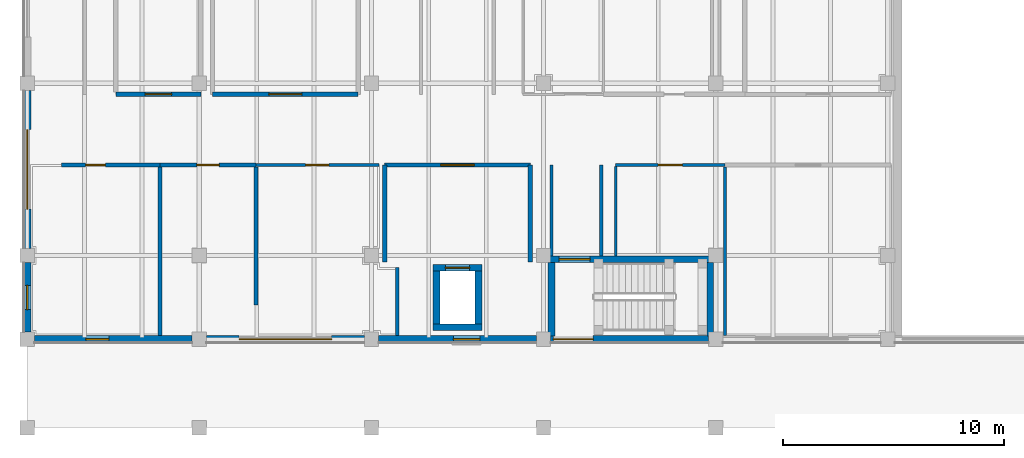
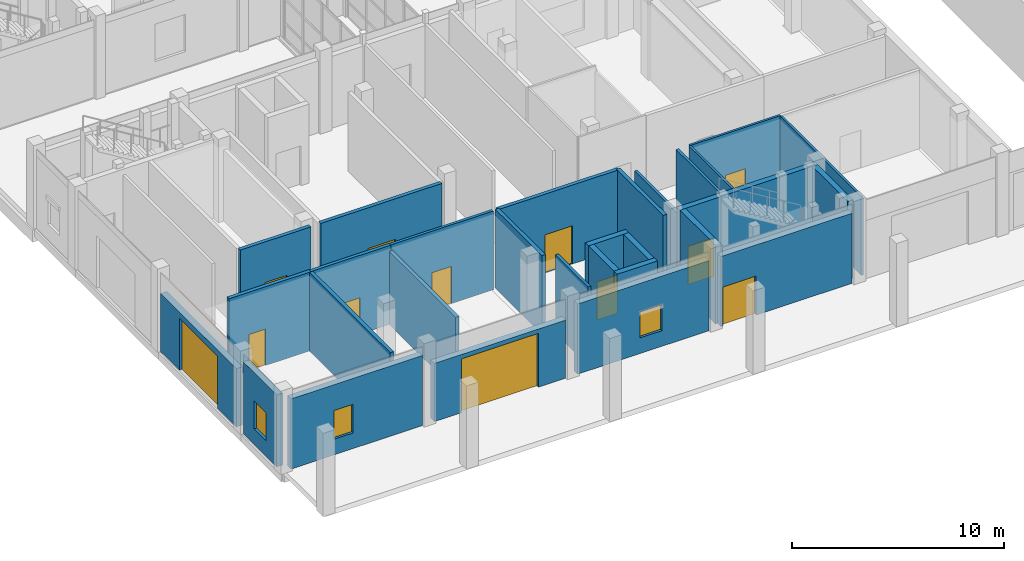
# One storey, part 91 of 131: 29 walls, 12 doors, 3 windows, 15 openings.
"""IFC4 building model written with IfcOpenShell, lengths in metres."""

from ifc_helpers import new_model, si_unit, direction, frame, frame_2d, origin, place, context, subcontext, project, spatial, rectangle, extrude, material, layer, layer_set, type_object, element, fill, save


model = new_model("IFC4")

# Units and contexts
model_context = context("Model", 3, precision=1e-05, world=origin(), true_north=direction((0.0, 1.0)))
body_context = subcontext(model_context, "Body", "Model", "MODEL_VIEW")
ifc_project = project(units=[si_unit("LENGTHUNIT", "METRE"), si_unit("AREAUNIT", "SQUARE_METRE"), si_unit("VOLUMEUNIT", "CUBIC_METRE"), si_unit("PLANEANGLEUNIT", "RADIAN"), si_unit("MASSUNIT", "GRAM", prefix="KILO")], contexts=[model_context])

# Site, building, storey
site_placement = place(None, origin())
site = spatial("IfcSite", under=ifc_project, at=site_placement, CompositionType="ELEMENT")
building_placement = place(site_placement, origin())
building = spatial("IfcBuilding", under=site, at=building_placement, Name="Celorna Specialist Clinic", CompositionType="ELEMENT")
storey_placement = place(building_placement, origin())
storey = spatial("IfcBuildingStorey", under=building, at=storey_placement, Name="L00", CompositionType="ELEMENT", Elevation=0.0)

# Wall, opening, window
ifc_material_1 = material(Name="Pero Pinheiro Lioz limestone insulated masonry", Category="masonry")
ifc_layer_1 = layer(ifc_material_1, 0.340087890625, Name="Pero Pinheiro Lioz limestone insulated masonry")
ifc_layer_set_1 = layer_set([ifc_layer_1], Name="Pero Pinheiro Lioz limestone insulated masonry")
wall_type_1 = type_object("IfcWallType", Name="WT-07", PredefinedType="STANDARD", material=ifc_layer_set_1)
wall_1_placement = place(storey_placement, frame((7.47509765625, 4.0, 0.0), z_axis=(0.0, 0.0, 1.0), x_axis=(-1.0, 0.0, 0.0)))
wall_1 = element("IfcWall", 1, at=wall_1_placement, inside=storey, type_object=wall_type_1, Name="External facade wall WT-07 #298", PredefinedType="STANDARD", context=body_context, shape_type="SweptSolid", body=[
    extrude(rectangle(XDim=7.150146484375, YDim=0.340087890625, at=frame_2d((3.5751953125, 0.0))), origin(), (0.0, 0.0, 1.0), 4.0400390625),
])
opening_1_placement = place(wall_1_placement, frame((3.767578125, 0.0, 0.89990234375)))
opening_1 = element("IfcOpeningElement", 2, at=opening_1_placement, cuts=wall_1, Name="Opening WN-21", PredefinedType="OPENING", context=body_context, shape_type="SweptSolid", body=[
    extrude(rectangle(XDim=1.050048828125, YDim=1.64990234375, at=frame_2d((0.52490234375, 0.824951171875))), frame((0.0, 0.179931640625, 0.0), z_axis=(0.0, -1.0, 0.0), x_axis=(1.0, 0.0, 0.0)), (0.0, 0.0, 1.0), 0.360107421875),
])
ifc_material_2 = material(Name="Thermally broken aluminium triple-glazed window", Category="aluminium")
window_type_1 = type_object("IfcWindowType", Name="WN-21", PartitioningType="SINGLE_PANEL", PredefinedType="WINDOW", material=ifc_material_2)
window_1_placement = place(opening_1_placement, origin())
window_1 = element("IfcWindow", 3, at=window_1_placement, inside=storey, type_object=window_type_1, Name="Facade window WN-21 #179", OverallHeight=1.64990234375, OverallWidth=1.050048828125, PartitioningType="SINGLE_PANEL", PredefinedType="WINDOW", context=body_context, shape_type="SweptSolid", body=[
    extrude(rectangle(XDim=1.050048828125, YDim=1.64990234375, at=frame_2d((0.52490234375, 0.824951171875))), frame((0.0, 0.030029296875, 0.0), z_axis=(0.0, -1.0, 0.0), x_axis=(1.0, 0.0, 0.0)), (0.0, 0.0, 1.0), 0.06005859375),
])
fill(opening_1, window_1)

# Wall, opening, door
wall_2_placement = place(storey_placement, frame((15.27490234375, 4.0, 0.0), z_axis=(0.0, 0.0, 1.0), x_axis=(-1.0, 0.0, 0.0)))
wall_2 = element("IfcWall", 4, at=wall_2_placement, inside=storey, type_object=wall_type_1, Name="External facade wall WT-07 #299", PredefinedType="STANDARD", context=body_context, shape_type="SweptSolid", body=[
    extrude(rectangle(XDim=7.14990234375, YDim=0.340087890625, at=frame_2d((3.574951171875, 0.0))), origin(), (0.0, 0.0, 1.0), 3.35009765625),
])
opening_2_placement = place(wall_2_placement, frame((1.47509765625, 0.0, 0.0)))
opening_2 = element("IfcOpeningElement", 5, at=opening_2_placement, cuts=wall_2, Name="Opening GT-02", PredefinedType="OPENING", context=body_context, shape_type="SweptSolid", body=[
    extrude(rectangle(XDim=4.199951171875, YDim=3.10009765625, at=frame_2d((2.10009765625, 1.550048828125))), frame((0.0, 0.179931640625, 0.0), z_axis=(0.0, -1.0, 0.0), x_axis=(1.0, 0.0, 0.0)), (0.0, 0.0, 1.0), 0.360107421875),
])
ifc_material_3 = material(Name="Insulated steel ambulance bay shutter", Category="steel")
door_type_1 = type_object("IfcDoorType", Name="GT-02", OperationType="ROLLINGUP", PredefinedType="GATE", material=ifc_material_3)
door_1_placement = place(opening_2_placement, frame((4.199951171875, 0.0, 0.0), z_axis=(0.0, 0.0, 1.0), x_axis=(-1.0, 0.0, 0.0)))
door_1 = element("IfcDoor", 6, at=door_1_placement, inside=storey, type_object=door_type_1, Name="Ambulance bay shutter VS-02", OperationType="ROLLINGUP", OverallHeight=3.10009765625, OverallWidth=4.199951171875, PredefinedType="GATE", context=body_context, shape_type="SweptSolid", body=[
    extrude(rectangle(XDim=4.199951171875, YDim=3.10009765625, at=frame_2d((2.10009765625, 1.550048828125))), frame((0.0, 0.02490234375, 0.0), z_axis=(0.0, -1.0, 0.0), x_axis=(1.0, 0.0, 0.0)), (0.0, 0.0, 1.0), 0.050048828125),
])
fill(opening_2, door_1)

# Wall, opening, window
wall_3_placement = place(storey_placement, frame((23.074951171875, 4.0, 0.0), z_axis=(0.0, 0.0, 1.0), x_axis=(-1.0, 0.0, 0.0)))
wall_3 = element("IfcWall", 7, at=wall_3_placement, inside=storey, type_object=wall_type_1, Name="External facade wall WT-07 #300", PredefinedType="STANDARD", context=body_context, shape_type="SweptSolid", body=[
    extrude(rectangle(XDim=7.14990234375, YDim=0.340087890625, at=frame_2d((3.574951171875, 0.0))), origin(), (0.0, 0.0, 1.0), 4.0400390625),
])
opening_3_placement = place(wall_3_placement, frame((2.5625, 0.0, 0.89990234375)))
opening_3 = element("IfcOpeningElement", 8, at=opening_3_placement, cuts=wall_3, Name="Opening WN-04", PredefinedType="OPENING", context=body_context, shape_type="SweptSolid", body=[
    extrude(rectangle(XDim=1.199951171875, YDim=1.5, at=frame_2d((0.60009765625, 0.75))), frame((0.0, 0.179931640625, 0.0), z_axis=(0.0, -1.0, 0.0), x_axis=(1.0, 0.0, 0.0)), (0.0, 0.0, 1.0), 0.360107421875),
])
window_type_2 = type_object("IfcWindowType", Name="WN-04", PartitioningType="SINGLE_PANEL", PredefinedType="WINDOW", material=ifc_material_2)
window_2_placement = place(opening_3_placement, origin())
window_2 = element("IfcWindow", 9, at=window_2_placement, inside=storey, type_object=window_type_2, Name="Facade window WN-04 #180", OverallHeight=1.5, OverallWidth=1.199951171875, PartitioningType="SINGLE_PANEL", PredefinedType="WINDOW", context=body_context, shape_type="SweptSolid", body=[
    extrude(rectangle(XDim=1.199951171875, YDim=1.5, at=frame_2d((0.60009765625, 0.75))), frame((0.0, 0.030029296875, 0.0), z_axis=(0.0, -1.0, 0.0), x_axis=(1.0, 0.0, 0.0)), (0.0, 0.0, 1.0), 0.06005859375),
])
fill(opening_3, window_2)

# Wall, opening, door
wall_4_placement = place(storey_placement, frame((30.875, 4.0, 0.0), z_axis=(0.0, 0.0, 1.0), x_axis=(-1.0, 0.0, 0.0)))
wall_4 = element("IfcWall", 10, at=wall_4_placement, inside=storey, type_object=wall_type_1, Name="External facade wall WT-07 #301", PredefinedType="STANDARD", context=body_context, shape_type="SweptSolid", body=[
    extrude(rectangle(XDim=7.14990234375, YDim=0.340087890625, at=frame_2d((3.574951171875, 0.0))), origin(), (0.0, 0.0, 1.0), 4.0400390625),
])
opening_4_placement = place(wall_4_placement, frame((5.22998046875, 0.0, 0.0)))
opening_4 = element("IfcOpeningElement", 11, at=opening_4_placement, cuts=wall_4, Name="Opening DR-14", PredefinedType="OPENING", context=body_context, shape_type="SweptSolid", body=[
    extrude(rectangle(XDim=1.800048828125, YDim=2.25, at=frame_2d((0.89990234375, 1.125))), frame((0.0, 0.179931640625, 0.0), z_axis=(0.0, -1.0, 0.0), x_axis=(1.0, 0.0, 0.0)), (0.0, 0.0, 1.0), 0.360107421875),
])
ifc_material_4 = material(Name="Glazed aluminium final exit double door", Category="aluminium")
door_type_2 = type_object("IfcDoorType", Name="DR-14", OperationType="DOUBLE_DOOR_SINGLE_SWING", PredefinedType="DOOR", material=ifc_material_4)
door_2_placement = place(opening_4_placement, origin())
door_2 = element("IfcDoor", 12, at=door_2_placement, inside=storey, type_object=door_type_2, Name="Pedestrian final exit E05", OperationType="DOUBLE_DOOR_SINGLE_SWING", OverallHeight=2.25, OverallWidth=1.800048828125, PredefinedType="DOOR", context=body_context, shape_type="SweptSolid", body=[
    extrude(rectangle(XDim=1.800048828125, YDim=2.25, at=frame_2d((0.89990234375, 1.125))), frame((0.0, 0.02490234375, 0.0), z_axis=(0.0, -1.0, 0.0), x_axis=(1.0, 0.0, 0.0)), (0.0, 0.0, 1.0), 0.050048828125),
])
fill(opening_4, door_2)

# Wall, opening, window
wall_5_placement = place(storey_placement, frame((0.0, 4.324951171875, 0.0), z_axis=(0.0, 0.0, 1.0), x_axis=(0.0, 1.0, 0.0)))
wall_5 = element("IfcWall", 13, at=wall_5_placement, inside=storey, type_object=wall_type_1, Name="External facade wall WT-07 #312", PredefinedType="STANDARD", context=body_context, shape_type="SweptSolid", body=[
    extrude(rectangle(XDim=3.150146484375, YDim=0.340087890625, at=frame_2d((1.5751953125, 0.0))), origin(), (0.0, 0.0, 1.0), 4.139892578125),
])
opening_5_placement = place(wall_5_placement, frame((1.02490234375, 0.0, 0.89990234375)))
opening_5 = element("IfcOpeningElement", 14, at=opening_5_placement, cuts=wall_5, Name="Opening WN-03", PredefinedType="OPENING", context=body_context, shape_type="SweptSolid", body=[
    extrude(rectangle(XDim=1.10009765625, YDim=1.60009765625, at=frame_2d((0.550048828125, 0.800048828125))), frame((0.0, 0.179931640625, 0.0), z_axis=(0.0, -1.0, 0.0), x_axis=(1.0, 0.0, 0.0)), (0.0, 0.0, 1.0), 0.360107421875),
])
window_type_3 = type_object("IfcWindowType", Name="WN-03", PartitioningType="SINGLE_PANEL", PredefinedType="WINDOW", material=ifc_material_2)
window_3_placement = place(opening_5_placement, origin())
window_3 = element("IfcWindow", 15, at=window_3_placement, inside=storey, type_object=window_type_3, Name="Facade window WN-03 #185", OverallHeight=1.60009765625, OverallWidth=1.10009765625, PartitioningType="SINGLE_PANEL", PredefinedType="WINDOW", context=body_context, shape_type="SweptSolid", body=[
    extrude(rectangle(XDim=1.10009765625, YDim=1.60009765625, at=frame_2d((0.550048828125, 0.800048828125))), frame((0.0, 0.030029296875, 0.0), z_axis=(0.0, -1.0, 0.0), x_axis=(1.0, 0.0, 0.0)), (0.0, 0.0, 1.0), 0.06005859375),
])
fill(opening_5, window_3)

# Wall, opening, door
wall_6_placement = place(storey_placement, frame((0.0, 8.125, 0.0), z_axis=(0.0, 0.0, 1.0), x_axis=(0.0, 1.0, 0.0)))
wall_6 = element("IfcWall", 16, at=wall_6_placement, inside=storey, type_object=wall_type_1, Name="External facade wall WT-07 #313", PredefinedType="STANDARD", context=body_context, shape_type="SweptSolid", body=[
    extrude(rectangle(XDim=7.14990234375, YDim=0.340087890625, at=frame_2d((3.574951171875, 0.0))), origin(), (0.0, 0.0, 1.0), 3.35009765625),
])
opening_6_placement = place(wall_6_placement, frame((1.77490234375, 0.0, 0.0)))
opening_6 = element("IfcOpeningElement", 17, at=opening_6_placement, cuts=wall_6, Name="Opening GT-03", PredefinedType="OPENING", context=body_context, shape_type="SweptSolid", body=[
    extrude(rectangle(XDim=3.60009765625, YDim=3.0, at=frame_2d((1.800048828125, 1.5))), frame((0.0, 0.179931640625, 0.0), z_axis=(0.0, -1.0, 0.0), x_axis=(1.0, 0.0, 0.0)), (0.0, 0.0, 1.0), 0.360107421875),
])
ifc_material_5 = material(Name="Insulated steel sterile loading shutter", Category="steel")
door_type_3 = type_object("IfcDoorType", Name="GT-03", OperationType="ROLLINGUP", PredefinedType="GATE", material=ifc_material_5)
door_3_placement = place(opening_6_placement, frame((3.60009765625, 0.0, 0.0), z_axis=(0.0, 0.0, 1.0), x_axis=(-1.0, 0.0, 0.0)))
door_3 = element("IfcDoor", 18, at=door_3_placement, inside=storey, type_object=door_type_3, Name="Sterile supply loading shutter VS-04", OperationType="ROLLINGUP", OverallHeight=3.0, OverallWidth=3.60009765625, PredefinedType="GATE", context=body_context, shape_type="SweptSolid", body=[
    extrude(rectangle(XDim=3.60009765625, YDim=3.0, at=frame_2d((1.800048828125, 1.5))), frame((0.0, 0.02490234375, 0.0), z_axis=(0.0, -1.0, 0.0), x_axis=(1.0, 0.0, 0.0)), (0.0, 0.0, 1.0), 0.050048828125),
])
fill(opening_6, door_3)

ifc_material_6 = material(Name="Concrete C35/45", Category="concrete")
ifc_layer_2 = layer(ifc_material_6, 0.300048828125, Name="Concrete C35/45")
ifc_layer_set_2 = layer_set([ifc_layer_2], Name="Concrete C35/45")
wall_type_2 = type_object("IfcWallType", Name="WT-08", PredefinedType="SHEAR", material=ifc_layer_set_2)
wall_7_placement = place(storey_placement, frame((31.110107421875, 7.6298828125, 0.0), z_axis=(0.0, 0.0, 1.0), x_axis=(-1.0, 0.0, 0.0)))
wall_7 = element("IfcWall", 19, at=wall_7_placement, inside=storey, type_object=wall_type_2, Name="Stair ST-05 RC core wall L00 north", PredefinedType="SHEAR", context=body_context, shape_type="SweptSolid", body=[
    extrude(rectangle(XDim=7.5, YDim=0.300048828125, at=frame_2d((3.75, 0.0))), origin(), (0.0, 0.0, 1.0), 4.5400390625),
])
opening_7_placement = place(wall_7_placement, frame((5.60009765625, 0.0, 0.0)))
opening_7 = element("IfcOpeningElement", 20, at=opening_7_placement, cuts=wall_7, Name="Opening DR-10", PredefinedType="OPENING", context=body_context, shape_type="SweptSolid", body=[
    extrude(rectangle(XDim=1.39990234375, YDim=2.199951171875, at=frame_2d((0.699951171875, 1.10009765625))), frame((0.0, 0.159912109375, 0.0), z_axis=(0.0, -1.0, 0.0), x_axis=(1.0, 0.0, 0.0)), (0.0, 0.0, 1.0), 0.320068359375),
])
ifc_material_7 = material(Name="Protected exit stair fire door")
door_type_4 = type_object("IfcDoorType", Name="DR-10", OperationType="NOTDEFINED", PredefinedType="DOOR", material=ifc_material_7)
door_4_placement = place(opening_7_placement, origin())
door_4 = element("IfcDoor", 21, at=door_4_placement, inside=storey, type_object=door_type_4, Name="Protected exit stair door ST-05 L00", OperationType="SINGLE_SWING_LEFT", OverallHeight=2.199951171875, OverallWidth=1.39990234375, PredefinedType="DOOR", context=body_context, shape_type="SweptSolid", body=[
    extrude(rectangle(XDim=1.39990234375, YDim=2.199951171875, at=frame_2d((0.699951171875, 1.10009765625))), frame((0.0, 0.02490234375, 0.0), z_axis=(0.0, -1.0, 0.0), x_axis=(1.0, 0.0, 0.0)), (0.0, 0.0, 1.0), 0.050048828125),
])
fill(opening_7, door_4)

# Walls
for number, where, z_axis, x_axis, name in (
    (22, (23.760009765625, 7.47998046875, 0.0), (0.0, 0.0, 1.0), (0.0, -1.0, 0.0), "Stair ST-05 RC core wall L00 west"),
    (23, (30.9599609375, 4.14990234375, 0.0), (0.0, 0.0, 1.0), (0.0, 1.0, 0.0), "Stair ST-05 RC core wall L00 east"),
):
    element("IfcWall", number, at=place(storey_placement, frame(where, z_axis=z_axis, x_axis=x_axis)), inside=storey, type_object=wall_type_2, Name=name, PredefinedType="SHEAR", context=body_context, shape_type="SweptSolid", body=[
        extrude(rectangle(XDim=3.330078125, YDim=0.300048828125, at=frame_2d((1.6650390625, 0.0))), origin(), (0.0, 0.0, 1.0), 4.5400390625),
    ])
wall_8_placement = place(storey_placement, frame((18.39990234375, 4.550048828125, 0.0), z_axis=(0.0, 0.0, 1.0), x_axis=(1.0, 0.0, 0.0)))
element("IfcWall", 24, at=wall_8_placement, inside=storey, type_object=wall_type_2, Name="Lift LF-05 RC shaft wall L00", PredefinedType="SHEAR", context=body_context, shape_type="SweptSolid", body=[
    extrude(rectangle(XDim=2.2001953125, YDim=0.300048828125, at=frame_2d((1.10009765625, 0.0))), origin(), (0.0, 0.0, 1.0), 4.5400390625),
])

# Wall, opening, door
wall_9_placement = place(storey_placement, frame((20.60009765625, 7.25, 0.0), z_axis=(0.0, 0.0, 1.0), x_axis=(-1.0, 0.0, 0.0)))
wall_9 = element("IfcWall", 25, at=wall_9_placement, inside=storey, type_object=wall_type_2, Name="Lift LF-05 RC shaft wall L00", PredefinedType="SHEAR", context=body_context, shape_type="SweptSolid", body=[
    extrude(rectangle(XDim=2.2001953125, YDim=0.300048828125, at=frame_2d((1.10009765625, 0.0))), origin(), (0.0, 0.0, 1.0), 4.5400390625),
])
opening_8_placement = place(wall_9_placement, frame((0.550048828125, 0.0, 0.0)))
opening_8 = element("IfcOpeningElement", 26, at=opening_8_placement, cuts=wall_9, Name="Opening LD-01", PredefinedType="OPENING", context=body_context, shape_type="SweptSolid", body=[
    extrude(rectangle(XDim=1.10009765625, YDim=2.199951171875, at=frame_2d((0.550048828125, 1.10009765625))), frame((0.0, 0.159912109375, 0.0), z_axis=(0.0, -1.0, 0.0), x_axis=(1.0, 0.0, 0.0)), (0.0, 0.0, 1.0), 0.320068359375),
])
ifc_material_8 = material(Name="Stainless steel lift landing sliding door", Category="steel")
door_type_5 = type_object("IfcDoorType", Name="LD-01", OperationType="DOUBLE_DOOR_SLIDING", PredefinedType="DOOR", material=ifc_material_8)
door_5_placement = place(opening_8_placement, origin())
door_5 = element("IfcDoor", 27, at=door_5_placement, inside=storey, type_object=door_type_5, Name="Lift LF-05 sliding landing door L00", OperationType="DOUBLE_DOOR_SLIDING", OverallHeight=2.199951171875, OverallWidth=1.10009765625, PredefinedType="DOOR", context=body_context, shape_type="SweptSolid", body=[
    extrude(rectangle(XDim=1.10009765625, YDim=2.199951171875, at=frame_2d((0.550048828125, 1.10009765625))), frame((0.0, 0.02490234375, 0.0), z_axis=(0.0, -1.0, 0.0), x_axis=(1.0, 0.0, 0.0)), (0.0, 0.0, 1.0), 0.050048828125),
])
fill(opening_8, door_5)

# Walls
for number, where, z_axis, x_axis, name in (
    (28, (18.550048828125, 7.10009765625, 0.0), (0.0, 0.0, 1.0), (0.0, -1.0, 0.0), "Lift LF-05 RC shaft wall L00"),
    (29, (20.449951171875, 4.699951171875, 0.0), (0.0, 0.0, 1.0), (0.0, 1.0, 0.0), "Lift LF-05 RC shaft wall L00"),
):
    element("IfcWall", number, at=place(storey_placement, frame(where, z_axis=z_axis, x_axis=x_axis)), inside=storey, type_object=wall_type_2, Name=name, PredefinedType="SHEAR", context=body_context, shape_type="SweptSolid", body=[
        extrude(rectangle(XDim=2.400146484375, YDim=0.300048828125, at=frame_2d((1.2001953125, 0.0))), origin(), (0.0, 0.0, 1.0), 4.5400390625),
    ])

# Wall, opening, door
ifc_layer_3 = layer(ifc_material_6, 0.199951171875, Name="Concrete C35/45")
ifc_layer_set_3 = layer_set([ifc_layer_3], Name="Concrete C35/45")
wall_type_3 = type_object("IfcWallType", Name="WT-12", PredefinedType="SOLIDWALL", material=ifc_layer_set_3)
wall_10_placement = place(storey_placement, frame((8.39990234375, 15.10009765625, 0.0), z_axis=(0.0, 0.0, 1.0), x_axis=(1.0, 0.0, 0.0)))
wall_10 = element("IfcWall", 30, at=wall_10_placement, inside=storey, type_object=wall_type_3, Name="Firefighting lobby wall LF-04 L00", PredefinedType="SOLIDWALL", context=body_context, shape_type="SweptSolid", body=[
    extrude(rectangle(XDim=6.60009765625, YDim=0.199951171875, at=frame_2d((3.300048828125, 0.0))), origin(), (0.0, 0.0, 1.0), 4.5400390625),
])
opening_9_placement = place(wall_10_placement, frame((2.550048828125, 0.0, 0.0)))
opening_9 = element("IfcOpeningElement", 31, at=opening_9_placement, cuts=wall_10, Name="Opening DR-11", PredefinedType="OPENING", context=body_context, shape_type="SweptSolid", body=[
    extrude(rectangle(XDim=1.5, YDim=2.199951171875, at=frame_2d((0.75, 1.10009765625))), frame((0.0, 0.10986328125, 0.0), z_axis=(0.0, -1.0, 0.0), x_axis=(1.0, 0.0, 0.0)), (0.0, 0.0, 1.0), 0.219970703125),
])
ifc_material_9 = material(Name="Firefighting lobby double fire door")
door_type_6 = type_object("IfcDoorType", Name="DR-11", OperationType="DOUBLE_DOOR_SINGLE_SWING", PredefinedType="DOOR", material=ifc_material_9)
door_6_placement = place(opening_9_placement, origin())
door_6 = element("IfcDoor", 32, at=door_6_placement, inside=storey, type_object=door_type_6, Name="Firefighting lobby fire door LF-04 L00", OperationType="DOUBLE_DOOR_SINGLE_SWING", OverallHeight=2.199951171875, OverallWidth=1.5, PredefinedType="DOOR", context=body_context, shape_type="SweptSolid", body=[
    extrude(rectangle(XDim=1.5, YDim=2.199951171875, at=frame_2d((0.75, 1.10009765625))), frame((0.0, 0.02490234375, 0.0), z_axis=(0.0, -1.0, 0.0), x_axis=(1.0, 0.0, 0.0)), (0.0, 0.0, 1.0), 0.050048828125),
])
fill(opening_9, door_6)

wall_11_placement = place(storey_placement, frame((22.800048828125, 11.89990234375, 0.0), z_axis=(0.0, 0.0, 1.0), x_axis=(-1.0, 0.0, 0.0)))
wall_11 = element("IfcWall", 33, at=wall_11_placement, inside=storey, type_object=wall_type_3, Name="Lift lobby wall LF-05 L00", PredefinedType="SOLIDWALL", context=body_context, shape_type="SweptSolid", body=[
    extrude(rectangle(XDim=6.60009765625, YDim=0.199951171875, at=frame_2d((3.300048828125, 0.0))), origin(), (0.0, 0.0, 1.0), 4.5400390625),
])
opening_10_placement = place(wall_11_placement, frame((2.550048828125, 0.0, 0.0)))
opening_10 = element("IfcOpeningElement", 34, at=opening_10_placement, cuts=wall_11, Name="Opening DR-11", PredefinedType="OPENING", context=body_context, shape_type="SweptSolid", body=[
    extrude(rectangle(XDim=1.5, YDim=2.199951171875, at=frame_2d((0.75, 1.10009765625))), frame((0.0, 0.10986328125, 0.0), z_axis=(0.0, -1.0, 0.0), x_axis=(1.0, 0.0, 0.0)), (0.0, 0.0, 1.0), 0.219970703125),
])
door_7_placement = place(opening_10_placement, origin())
door_7 = element("IfcDoor", 35, at=door_7_placement, inside=storey, type_object=door_type_6, Name="Lift lobby fire door LF-05 L00", OperationType="DOUBLE_DOOR_SINGLE_SWING", OverallHeight=2.199951171875, OverallWidth=1.5, PredefinedType="DOOR", context=body_context, shape_type="SweptSolid", body=[
    extrude(rectangle(XDim=1.5, YDim=2.199951171875, at=frame_2d((0.75, 1.10009765625))), frame((0.0, 0.02490234375, 0.0), z_axis=(0.0, -1.0, 0.0), x_axis=(1.0, 0.0, 0.0)), (0.0, 0.0, 1.0), 0.050048828125),
])
fill(opening_10, door_7)

# Walls
for number, where, z_axis, x_axis, name in (
    (36, (16.199951171875, 11.89990234375, 0.0), (0.0, 0.0, 1.0), (0.0, -1.0, 0.0), "Lift lobby wall LF-05 L00"),
    (37, (22.800048828125, 7.5, 0.0), (0.0, 0.0, 1.0), (0.0, 1.0, 0.0), "Lift lobby wall LF-05 L00"),
):
    element("IfcWall", number, at=place(storey_placement, frame(where, z_axis=z_axis, x_axis=x_axis)), inside=storey, type_object=wall_type_3, Name=name, PredefinedType="SOLIDWALL", context=body_context, shape_type="SweptSolid", body=[
        extrude(rectangle(XDim=4.39990234375, YDim=0.199951171875, at=frame_2d((2.199951171875, 0.0))), origin(), (0.0, 0.0, 1.0), 4.5400390625),
    ])

# Wall, opening, door
wall_12_placement = place(storey_placement, frame((6.02001953125, 11.89990234375, 0.0), z_axis=(0.0, 0.0, 1.0), x_axis=(-1.0, 0.0, 0.0)))
wall_12 = element("IfcWall", 38, at=wall_12_placement, inside=storey, type_object=wall_type_3, Name="Interior partition WT-12 L00-091", PredefinedType="SOLIDWALL", context=body_context, shape_type="SweptSolid", body=[
    extrude(rectangle(XDim=4.469970703125, YDim=0.199951171875, at=frame_2d((2.23486328125, 0.0))), origin(), (0.0, 0.0, 1.0), 4.5400390625),
])
opening_11_placement = place(wall_12_placement, frame((2.47509765625, 0.0, 0.0)))
opening_11 = element("IfcOpeningElement", 39, at=opening_11_placement, cuts=wall_12, Name="Opening DR-02", PredefinedType="OPENING", context=body_context, shape_type="SweptSolid", body=[
    extrude(rectangle(XDim=0.89990234375, YDim=2.10009765625, at=frame_2d((0.449951171875, 1.050048828125))), frame((0.0, 0.10986328125, 0.0), z_axis=(0.0, -1.0, 0.0), x_axis=(1.0, 0.0, 0.0)), (0.0, 0.0, 1.0), 0.219970703125),
])
ifc_material_10 = material(Name="Timber acoustic clinical door", Category="wood")
door_type_7 = type_object("IfcDoorType", Name="DR-02", OperationType="NOTDEFINED", PredefinedType="DOOR", material=ifc_material_10)
door_8_placement = place(opening_11_placement, origin())
door_8 = element("IfcDoor", 40, at=door_8_placement, inside=storey, type_object=door_type_7, Name="Fire Command Centre door L00-091", OperationType="SINGLE_SWING_RIGHT", OverallHeight=2.10009765625, OverallWidth=0.89990234375, PredefinedType="DOOR", context=body_context, shape_type="SweptSolid", body=[
    extrude(rectangle(XDim=0.89990234375, YDim=2.10009765625, at=frame_2d((0.449951171875, 1.050048828125))), frame((0.0, 0.02490234375, 0.0), z_axis=(0.0, -1.0, 0.0), x_axis=(1.0, 0.0, 0.0)), (0.0, 0.0, 1.0), 0.050048828125),
])
fill(opening_11, door_8)

wall_13_placement = place(storey_placement, frame((4.02001953125, 15.10009765625, 0.0), z_axis=(0.0, 0.0, 1.0), x_axis=(1.0, 0.0, 0.0)))
wall_13 = element("IfcWall", 41, at=wall_13_placement, inside=storey, type_object=wall_type_3, Name="Interior partition WT-12 L00-096", PredefinedType="SOLIDWALL", context=body_context, shape_type="SweptSolid", body=[
    extrude(rectangle(XDim=3.85009765625, YDim=0.199951171875, at=frame_2d((1.925048828125, 0.0))), origin(), (0.0, 0.0, 1.0), 4.5400390625),
])
opening_12_placement = place(wall_13_placement, frame((1.324951171875, 0.0, 0.0)))
opening_12 = element("IfcOpeningElement", 42, at=opening_12_placement, cuts=wall_13, Name="Opening DR-08", PredefinedType="OPENING", context=body_context, shape_type="SweptSolid", body=[
    extrude(rectangle(XDim=1.199951171875, YDim=2.199951171875, at=frame_2d((0.60009765625, 1.10009765625))), frame((0.0, 0.10986328125, 0.0), z_axis=(0.0, -1.0, 0.0), x_axis=(1.0, 0.0, 0.0)), (0.0, 0.0, 1.0), 0.219970703125),
])
ifc_material_11 = material(Name="Stretcher-width clinical door")
door_type_8 = type_object("IfcDoorType", Name="DR-08", OperationType="NOTDEFINED", PredefinedType="DOOR", material=ifc_material_11)
door_9_placement = place(opening_12_placement, origin())
door_9 = element("IfcDoor", 43, at=door_9_placement, inside=storey, type_object=door_type_8, Name="Fire Command Centre door L00-096", OperationType="SINGLE_SWING_LEFT", OverallHeight=2.199951171875, OverallWidth=1.199951171875, PredefinedType="DOOR", context=body_context, shape_type="SweptSolid", body=[
    extrude(rectangle(XDim=1.199951171875, YDim=2.199951171875, at=frame_2d((0.60009765625, 1.10009765625))), frame((0.0, 0.02490234375, 0.0), z_axis=(0.0, -1.0, 0.0), x_axis=(1.0, 0.0, 0.0)), (0.0, 0.0, 1.0), 0.050048828125),
])
fill(opening_12, door_9)

# Wall
wall_14_placement = place(storey_placement, frame((6.02001953125, 4.169921875, 0.0), z_axis=(0.0, 0.0, 1.0), x_axis=(0.0, 1.0, 0.0)))
element("IfcWall", 44, at=wall_14_placement, inside=storey, type_object=wall_type_3, Name="Room dividing partition WT-12 L00-091", PredefinedType="SOLIDWALL", context=body_context, shape_type="SweptSolid", body=[
    extrude(rectangle(XDim=7.630126953125, YDim=0.199951171875, at=frame_2d((3.81494140625, 0.0))), origin(), (0.0, 0.0, 1.0), 4.5400390625),
])

# Wall, opening, door
ifc_material_12 = material(Name="Acoustic masonry clinical partition", Category="masonry")
ifc_layer_4 = layer(ifc_material_12, 0.179931640625, Name="Acoustic masonry clinical partition")
ifc_layer_set_4 = layer_set([ifc_layer_4], Name="Acoustic masonry clinical partition")
wall_type_4 = type_object("IfcWallType", Name="WT-13", PredefinedType="PARTITIONING", material=ifc_layer_set_4)
wall_15_placement = place(storey_placement, frame((10.3701171875, 11.89990234375, 0.0), z_axis=(0.0, 0.0, 1.0), x_axis=(-1.0, 0.0, 0.0)))
wall_15 = element("IfcWall", 45, at=wall_15_placement, inside=storey, type_object=wall_type_4, Name="Interior partition WT-13 L00-092", PredefinedType="PARTITIONING", context=body_context, shape_type="SweptSolid", body=[
    extrude(rectangle(XDim=4.35009765625, YDim=0.179931640625, at=frame_2d((2.175048828125, 0.0))), origin(), (0.0, 0.0, 1.0), 4.5400390625),
])
opening_13_placement = place(wall_15_placement, frame((1.675048828125, 0.0, 0.0)))
opening_13 = element("IfcOpeningElement", 46, at=opening_13_placement, cuts=wall_15, Name="Opening DR-04", PredefinedType="OPENING", context=body_context, shape_type="SweptSolid", body=[
    extrude(rectangle(XDim=1.0, YDim=2.10009765625, at=frame_2d((0.5, 1.050048828125))), frame((0.0, 0.099853515625, 0.0), z_axis=(0.0, -1.0, 0.0), x_axis=(1.0, 0.0, 0.0)), (0.0, 0.0, 1.0), 0.199951171875),
])
ifc_material_13 = material(Name="Timber consultation suite door", Category="wood")
door_type_9 = type_object("IfcDoorType", Name="DR-04", OperationType="NOTDEFINED", PredefinedType="DOOR", material=ifc_material_13)
door_10_placement = place(opening_13_placement, origin())
door_10 = element("IfcDoor", 47, at=door_10_placement, inside=storey, type_object=door_type_9, Name="Dispensing Pharmacy door L00-092", OperationType="SINGLE_SWING_LEFT", OverallHeight=2.10009765625, OverallWidth=1.0, PredefinedType="DOOR", context=body_context, shape_type="SweptSolid", body=[
    extrude(rectangle(XDim=1.0, YDim=2.10009765625, at=frame_2d((0.5, 1.050048828125))), frame((0.0, 0.02490234375, 0.0), z_axis=(0.0, -1.0, 0.0), x_axis=(1.0, 0.0, 0.0)), (0.0, 0.0, 1.0), 0.050048828125),
])
fill(opening_13, door_10)

# Walls
wall_16_placement = place(storey_placement, frame((10.3701171875, 5.550048828125, 0.0), z_axis=(0.0, 0.0, 1.0), x_axis=(0.0, 1.0, 0.0)))
element("IfcWall", 48, at=wall_16_placement, inside=storey, type_object=wall_type_4, Name="Room dividing partition WT-13 L00-092", PredefinedType="PARTITIONING", context=body_context, shape_type="SweptSolid", body=[
    extrude(rectangle(XDim=6.260009765625, YDim=0.179931640625, at=frame_2d((3.1298828125, 0.0))), origin(), (0.0, 0.0, 1.0), 4.2099609375),
])
ifc_material_14 = material(Name="Fire-rated gypsum board partition")
ifc_layer_5 = layer(ifc_material_14, 0.14990234375, Name="Fire-rated gypsum board partition")
ifc_layer_set_5 = layer_set([ifc_layer_5], Name="Fire-rated gypsum board partition")
wall_type_5 = type_object("IfcWallType", Name="WT-14", PredefinedType="PARTITIONING", material=ifc_layer_set_5)
wall_17_placement = place(storey_placement, frame((23.760009765625, 7.780029296875, 0.0), z_axis=(0.0, 0.0, 1.0), x_axis=(0.0, 1.0, 0.0)))
element("IfcWall", 49, at=wall_17_placement, inside=storey, type_object=wall_type_5, Name="Corridor spur partition WT-14", PredefinedType="PARTITIONING", context=body_context, shape_type="SweptSolid", body=[
    extrude(rectangle(XDim=4.119873046875, YDim=0.14990234375, at=frame_2d((2.06005859375, 0.0))), origin(), (0.0, 0.0, 1.0), 4.090087890625),
])
wall_18_placement = place(storey_placement, frame((26.010009765625, 7.780029296875, 0.0), z_axis=(0.0, 0.0, 1.0), x_axis=(0.0, 1.0, 0.0)))
element("IfcWall", 50, at=wall_18_placement, inside=storey, type_object=wall_type_5, Name="Corridor spur partition WT-14", PredefinedType="PARTITIONING", context=body_context, shape_type="SweptSolid", body=[
    extrude(rectangle(XDim=4.119873046875, YDim=0.14990234375, at=frame_2d((2.06005859375, 0.0))), origin(), (0.0, 0.0, 1.0), 4.5400390625),
])

# Wall, opening, door
wall_19_placement = place(storey_placement, frame((15.949951171875, 11.89990234375, 0.0), z_axis=(0.0, 0.0, 1.0), x_axis=(-1.0, 0.0, 0.0)))
wall_19 = element("IfcWall", 51, at=wall_19_placement, inside=storey, type_object=wall_type_5, Name="Interior partition WT-14 L00-093", PredefinedType="PARTITIONING", context=body_context, shape_type="SweptSolid", body=[
    extrude(rectangle(XDim=5.579833984375, YDim=0.14990234375, at=frame_2d((2.7900390625, 0.0))), origin(), (0.0, 0.0, 1.0), 4.5400390625),
])
opening_14_placement = place(wall_19_placement, frame((2.280029296875, 0.0, 0.0)))
opening_14 = element("IfcOpeningElement", 52, at=opening_14_placement, cuts=wall_19, Name="Opening DR-05", PredefinedType="OPENING", context=body_context, shape_type="SweptSolid", body=[
    extrude(rectangle(XDim=1.050048828125, YDim=2.14990234375, at=frame_2d((0.52490234375, 1.074951171875))), frame((0.0, 0.0849609375, 0.0), z_axis=(0.0, -1.0, 0.0), x_axis=(1.0, 0.0, 0.0)), (0.0, 0.0, 1.0), 0.169921875),
])
ifc_material_15 = material(Name="Timber examination room door", Category="wood")
door_type_10 = type_object("IfcDoorType", Name="DR-05", OperationType="NOTDEFINED", PredefinedType="DOOR", material=ifc_material_15)
door_11_placement = place(opening_14_placement, origin())
door_11 = element("IfcDoor", 53, at=door_11_placement, inside=storey, type_object=door_type_10, Name="Ambulance Triage Treatment Room door L00-093", OperationType="SINGLE_SWING_RIGHT", OverallHeight=2.14990234375, OverallWidth=1.050048828125, PredefinedType="DOOR", context=body_context, shape_type="SweptSolid", body=[
    extrude(rectangle(XDim=1.050048828125, YDim=2.14990234375, at=frame_2d((0.52490234375, 1.074951171875))), frame((0.0, 0.02490234375, 0.0), z_axis=(0.0, -1.0, 0.0), x_axis=(1.0, 0.0, 0.0)), (0.0, 0.0, 1.0), 0.050048828125),
])
fill(opening_14, door_11)

# Wall
wall_20_placement = place(storey_placement, frame((16.77001953125, 4.169921875, 0.0), z_axis=(0.0, 0.0, 1.0), x_axis=(0.0, 1.0, 0.0)))
element("IfcWall", 54, at=wall_20_placement, inside=storey, type_object=wall_type_5, Name="Room dividing partition WT-14 L00-093", PredefinedType="PARTITIONING", context=body_context, shape_type="SweptSolid", body=[
    extrude(rectangle(XDim=3.080078125, YDim=0.14990234375, at=frame_2d((1.5400390625, 0.0))), origin(), (0.0, 0.0, 1.0), 4.5400390625),
])

# Wall, opening, door
ifc_material_16 = material(Name="Acoustic gypsum board partition")
ifc_layer_6 = layer(ifc_material_16, 0.1201171875, Name="Acoustic gypsum board partition")
ifc_layer_set_6 = layer_set([ifc_layer_6], Name="Acoustic gypsum board partition")
wall_type_6 = type_object("IfcWallType", Name="WT-15", PredefinedType="PARTITIONING", material=ifc_layer_set_6)
wall_21_placement = place(storey_placement, frame((31.6201171875, 11.89990234375, 0.0), z_axis=(0.0, 0.0, 1.0), x_axis=(-1.0, 0.0, 0.0)))
wall_21 = element("IfcWall", 55, at=wall_21_placement, inside=storey, type_object=wall_type_6, Name="Interior partition WT-15 L00-094", PredefinedType="PARTITIONING", context=body_context, shape_type="SweptSolid", body=[
    extrude(rectangle(XDim=4.9501953125, YDim=0.1201171875, at=frame_2d((2.47509765625, 0.0))), origin(), (0.0, 0.0, 1.0), 4.5400390625),
])
opening_15_placement = place(wall_21_placement, frame((1.925048828125, 0.0, 0.0)))
opening_15 = element("IfcOpeningElement", 56, at=opening_15_placement, cuts=wall_21, Name="Opening DR-06", PredefinedType="OPENING", context=body_context, shape_type="SweptSolid", body=[
    extrude(rectangle(XDim=1.10009765625, YDim=2.14990234375, at=frame_2d((0.550048828125, 1.074951171875))), frame((0.0, 0.070068359375, 0.0), z_axis=(0.0, -1.0, 0.0), x_axis=(1.0, 0.0, 0.0)), (0.0, 0.0, 1.0), 0.14013671875),
])
ifc_material_17 = material(Name="Clinical treatment suite door")
door_type_11 = type_object("IfcDoorType", Name="DR-06", OperationType="NOTDEFINED", PredefinedType="DOOR", material=ifc_material_17)
door_12_placement = place(opening_15_placement, origin())
door_12 = element("IfcDoor", 57, at=door_12_placement, inside=storey, type_object=door_type_11, Name="Medication Counselling Room door L00-094", OperationType="SINGLE_SWING_LEFT", OverallHeight=2.14990234375, OverallWidth=1.10009765625, PredefinedType="DOOR", context=body_context, shape_type="SweptSolid", body=[
    extrude(rectangle(XDim=1.10009765625, YDim=2.14990234375, at=frame_2d((0.550048828125, 1.074951171875))), frame((0.0, 0.02490234375, 0.0), z_axis=(0.0, -1.0, 0.0), x_axis=(1.0, 0.0, 0.0)), (0.0, 0.0, 1.0), 0.050048828125),
])
fill(opening_15, door_12)

# Walls
wall_22_placement = place(storey_placement, frame((26.669921875, 7.780029296875, 0.0), z_axis=(0.0, 0.0, 1.0), x_axis=(0.0, 1.0, 0.0)))
element("IfcWall", 58, at=wall_22_placement, inside=storey, type_object=wall_type_6, Name="Room dividing partition WT-15 L00-094", PredefinedType="PARTITIONING", context=body_context, shape_type="SweptSolid", body=[
    extrude(rectangle(XDim=4.06005859375, YDim=0.1201171875, at=frame_2d((2.030029296875, 0.0))), origin(), (0.0, 0.0, 1.0), 4.5400390625),
])
wall_23_placement = place(storey_placement, frame((31.6201171875, 4.169921875, 0.0), z_axis=(0.0, 0.0, 1.0), x_axis=(0.0, 1.0, 0.0)))
element("IfcWall", 59, at=wall_23_placement, inside=storey, type_object=wall_type_6, Name="Room dividing partition WT-15 L00-094", PredefinedType="PARTITIONING", context=body_context, shape_type="SweptSolid", body=[
    extrude(rectangle(XDim=7.64013671875, YDim=0.1201171875, at=frame_2d((3.820068359375, 0.0))), origin(), (0.0, 0.0, 1.0), 4.5400390625),
])

save(model, "model.ifc")
